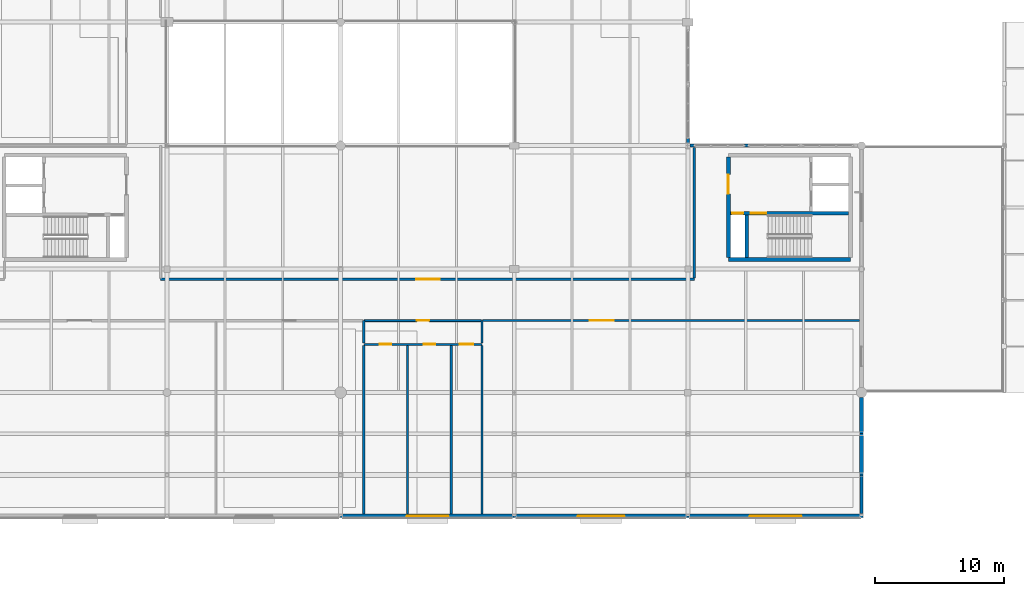
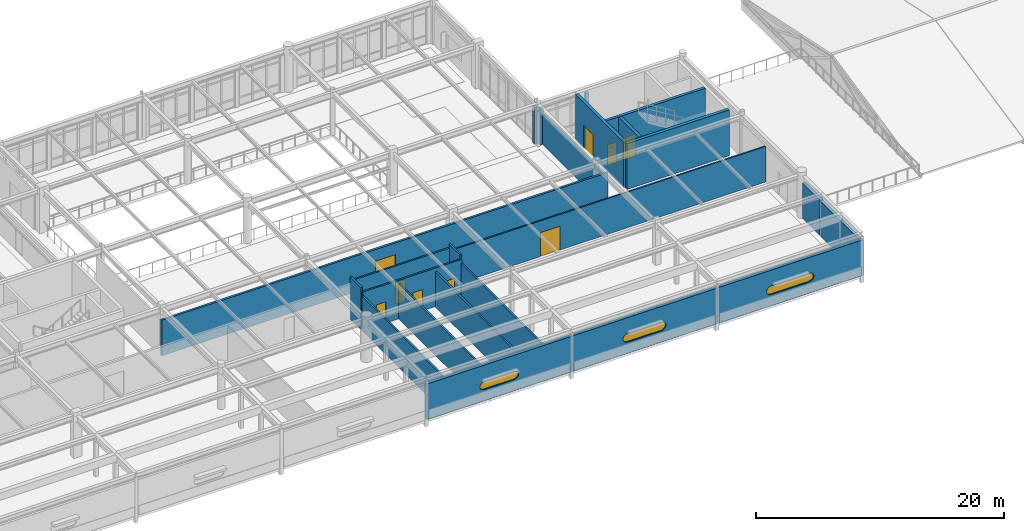
# One storey, part 49 of 61: 24 walls, 9 doors, 3 windows, 12 openings.
"""IFC4 building model written with IfcOpenShell, lengths in metres."""

from ifc_helpers import new_model, si_unit, direction, frame, frame_2d, origin, place, context, subcontext, project, spatial, polyline, rectangle, outline, extrude, material, layer, layer_set, type_object, element, fill, save


model = new_model("IFC4")

# Units and contexts
model_context = context("Model", 3, precision=1e-05, world=origin(), true_north=direction((0.0, 1.0)))
body_context = subcontext(model_context, "Body", "Model", "MODEL_VIEW")
ifc_project = project(units=[si_unit("LENGTHUNIT", "METRE"), si_unit("AREAUNIT", "SQUARE_METRE"), si_unit("VOLUMEUNIT", "CUBIC_METRE"), si_unit("PLANEANGLEUNIT", "RADIAN"), si_unit("MASSUNIT", "GRAM", prefix="KILO")], contexts=[model_context])

# Site, building, storey
site_placement = place(None, origin())
site = spatial("IfcSite", under=ifc_project, at=site_placement, CompositionType="ELEMENT")
building_placement = place(site_placement, origin())
building = spatial("IfcBuilding", under=site, at=building_placement, Name="Fikremerkos Civic Library", CompositionType="ELEMENT")
storey_placement = place(building_placement, frame((0.0, 0.0, 14.39990234375)))
storey = spatial("IfcBuildingStorey", under=building, at=storey_placement, Name="L03", CompositionType="ELEMENT", Elevation=14.39990234375)

# Wall
ifc_material_1 = material(Name="Concrete C40/50", Category="concrete")
ifc_layer_1 = layer(ifc_material_1, 0.300048828125, Name="Concrete C40/50")
ifc_layer_set_1 = layer_set([ifc_layer_1], Name="Concrete C40/50")
wall_type_1 = type_object("IfcWallType", Name="Core shear wall CSW-01 300", PredefinedType="SHEAR", material=ifc_layer_set_1)
wall_1_placement = place(storey_placement, frame((112.85009765625, 22.35009765625, 0.0), z_axis=(0.0, 0.0, 1.0), x_axis=(-1.0, 0.0, 0.0)))
element("IfcWall", 1, at=wall_1_placement, inside=storey, type_object=wall_type_1, Name="Core K2 south shear wall L03", PredefinedType="SHEAR", context=body_context, shape_type="SweptSolid", body=[
    extrude(rectangle(XDim=9.5, YDim=0.300048828125, at=frame_2d((4.75, 0.0))), origin(), (0.0, 0.0, 1.0), 4.5),
])

# Wall, opening, door
wall_2_placement = place(storey_placement, frame((103.35009765625, 22.501953125, 0.0), z_axis=(0.0, 0.0, 1.0), x_axis=(0.0, 1.0, 0.0)))
wall_2 = element("IfcWall", 2, at=wall_2_placement, inside=storey, type_object=wall_type_1, Name="Core K2 west shear wall L03", PredefinedType="SHEAR", context=body_context, shape_type="SweptSolid", body=[
    extrude(rectangle(XDim=7.796142578125, YDim=0.300048828125, at=frame_2d((3.89794921875, 0.0))), origin(), (0.0, 0.0, 1.0), 4.5),
])
opening_1_placement = place(wall_2_placement, frame((4.947998046875, 0.0, 0.0)))
opening_1 = element("IfcOpeningElement", 3, at=opening_1_placement, cuts=wall_2, Name="Opening D068", PredefinedType="OPENING", context=body_context, shape_type="SweptSolid", body=[
    extrude(rectangle(XDim=1.5, YDim=2.25, at=frame_2d((0.75, 1.125))), frame((0.0, 0.159912109375, 0.0), z_axis=(0.0, -1.0, 0.0), x_axis=(1.0, 0.0, 0.0)), (0.0, 0.0, 1.0), 0.320068359375),
])
ifc_material_2 = material(Name="Hardwood timber and acoustic glass", Category="wood")
door_type_1 = type_object("IfcDoorType", Name="Pedestrian door DT-05 1500x2250", OperationType="NOTDEFINED", PredefinedType="DOOR", material=ifc_material_2)
door_1_placement = place(opening_1_placement, origin())
door_1 = element("IfcDoor", 4, at=door_1_placement, inside=storey, type_object=door_type_1, Name="Core K2 lobby fire door D068 L03", OperationType="SINGLE_SWING_RIGHT", OverallHeight=2.25, OverallWidth=1.5, PredefinedType="DOOR", context=body_context, shape_type="SweptSolid", body=[
    extrude(rectangle(XDim=1.5, YDim=2.25, at=frame_2d((0.75, 1.125))), frame((0.0, 0.032470703125, 0.0), z_axis=(0.0, -1.0, 0.0), x_axis=(1.0, 0.0, 0.0)), (0.0, 0.0, 1.0), 0.06494140625),
])
fill(opening_1, door_1)

# Wall, openings, doors
ifc_layer_2 = layer(ifc_material_1, 0.260009765625, Name="Concrete C40/50")
ifc_layer_set_2 = layer_set([ifc_layer_2], Name="Concrete C40/50")
wall_type_2 = type_object("IfcWallType", Name="Core shear wall CSW-02 260", PredefinedType="SHEAR", material=ifc_layer_set_2)
wall_3_placement = place(storey_placement, frame((103.501953125, 25.929931640625, 0.0), z_axis=(0.0, 0.0, 1.0), x_axis=(1.0, 0.0, 0.0)))
wall_3 = element("IfcWall", 5, at=wall_3_placement, inside=storey, type_object=wall_type_2, Name="Core K2 stair compartment wall L03", PredefinedType="SHEAR", context=body_context, shape_type="SweptSolid", body=[
    extrude(rectangle(XDim=9.196044921875, YDim=0.260009765625, at=frame_2d((4.59814453125, 0.0))), origin(), (0.0, 0.0, 1.0), 4.5),
])
opening_2_placement = place(wall_3_placement, frame((1.597900390625, 0.0, 0.0)))
opening_2 = element("IfcOpeningElement", 6, at=opening_2_placement, cuts=wall_3, Name="Opening D069", PredefinedType="OPENING", context=body_context, shape_type="SweptSolid", body=[
    extrude(rectangle(XDim=1.199951171875, YDim=2.199951171875, at=frame_2d((0.60009765625, 1.10009765625))), frame((0.0, 0.139892578125, 0.0), z_axis=(0.0, -1.0, 0.0), x_axis=(1.0, 0.0, 0.0)), (0.0, 0.0, 1.0), 0.280029296875),
])
opening_3_placement = place(wall_3_placement, frame((0.14306640625, 0.0, 0.0)))
opening_3 = element("IfcOpeningElement", 7, at=opening_3_placement, cuts=wall_3, Name="Opening D070", PredefinedType="OPENING", context=body_context, shape_type="SweptSolid", body=[
    extrude(rectangle(XDim=0.85009765625, YDim=2.050048828125, at=frame_2d((0.425048828125, 1.02490234375))), frame((0.0, 0.139892578125, 0.0), z_axis=(0.0, -1.0, 0.0), x_axis=(1.0, 0.0, 0.0)), (0.0, 0.0, 1.0), 0.280029296875),
])
door_type_2 = type_object("IfcDoorType", Name="Pedestrian door DT-06 1200x2200", OperationType="NOTDEFINED", PredefinedType="DOOR", material=ifc_material_2)
door_2_placement = place(opening_2_placement, origin())
door_2 = element("IfcDoor", 8, at=door_2_placement, inside=storey, type_object=door_type_2, Name="Core K2 stair fire door D069 L03", OperationType="SINGLE_SWING_LEFT", OverallHeight=2.199951171875, OverallWidth=1.199951171875, PredefinedType="DOOR", context=body_context, shape_type="SweptSolid", body=[
    extrude(rectangle(XDim=1.199951171875, YDim=2.199951171875, at=frame_2d((0.60009765625, 1.10009765625))), frame((0.0, 0.032470703125, 0.0), z_axis=(0.0, -1.0, 0.0), x_axis=(1.0, 0.0, 0.0)), (0.0, 0.0, 1.0), 0.06494140625),
])
fill(opening_2, door_2)
door_type_3 = type_object("IfcDoorType", Name="Pedestrian door DT-08 850x2050", OperationType="NOTDEFINED", PredefinedType="DOOR", material=ifc_material_2)
door_3_placement = place(opening_3_placement, origin())
door_3 = element("IfcDoor", 9, at=door_3_placement, inside=storey, type_object=door_type_3, Name="Core K2 riser access fire door D070 L03", OperationType="SINGLE_SWING_LEFT", OverallHeight=2.050048828125, OverallWidth=0.85009765625, PredefinedType="DOOR", context=body_context, shape_type="SweptSolid", body=[
    extrude(rectangle(XDim=0.85009765625, YDim=2.050048828125, at=frame_2d((0.425048828125, 1.02490234375))), frame((0.0, 0.032470703125, 0.0), z_axis=(0.0, -1.0, 0.0), x_axis=(1.0, 0.0, 0.0)), (0.0, 0.0, 1.0), 0.06494140625),
])
fill(opening_3, door_3)

# Walls
wall_4_placement = place(storey_placement, frame((104.77001953125, 22.501953125, 0.0), z_axis=(0.0, 0.0, 1.0), x_axis=(0.0, 1.0, 0.0)))
element("IfcWall", 10, at=wall_4_placement, inside=storey, type_object=wall_type_2, Name="Core K2 stair-riser shear wall L03", PredefinedType="SHEAR", context=body_context, shape_type="SweptSolid", body=[
    extrude(rectangle(XDim=3.296142578125, YDim=0.260009765625, at=frame_2d((1.64794921875, 0.0))), origin(), (0.0, 0.0, 1.0), 4.5),
])
ifc_material_3 = material(Name="Precast concrete C40/50", Category="concrete")
ifc_layer_3 = layer(ifc_material_3, 0.300048828125, Name="Precast concrete C40/50")
ifc_layer_set_3 = layer_set([ifc_layer_3], Name="Precast concrete C40/50")
wall_type_3 = type_object("IfcWallType", Name="Exterior solid wall ESW-03 300", PredefinedType="SOLIDWALL", material=ifc_layer_set_3)
wall_5_placement = place(storey_placement, frame((113.699951171875, 11.60205078125, 0.0), z_axis=(0.0, 0.0, 1.0), x_axis=(0.0, -1.0, 0.0)))
element("IfcWall", 11, at=wall_5_placement, inside=storey, type_object=wall_type_3, Name="Exterior solid wall ESW-03 L03 #592", PredefinedType="SOLIDWALL", context=body_context, shape_type="SweptSolid", body=[
    extrude(rectangle(XDim=2.800048828125, YDim=0.300048828125, at=frame_2d((1.39990234375, 0.0))), origin(), (0.0, 0.0, 1.0), 3.5),
])
ifc_layer_4 = layer(ifc_material_3, 0.280029296875, Name="Precast concrete C40/50")
ifc_layer_set_4 = layer_set([ifc_layer_4], Name="Precast concrete C40/50")
wall_type_4 = type_object("IfcWallType", Name="Exterior solid wall ESW-04 280", PredefinedType="SOLIDWALL", material=ifc_layer_set_4)
wall_6_placement = place(storey_placement, frame((113.699951171875, 8.798095703125, 0.0), z_axis=(0.0, 0.0, 1.0), x_axis=(0.0, -1.0, 0.0)))
element("IfcWall", 12, at=wall_6_placement, inside=storey, type_object=wall_type_4, Name="Exterior solid wall ESW-04 L03 #593", PredefinedType="SOLIDWALL", context=body_context, shape_type="SweptSolid", body=[
    extrude(rectangle(XDim=3.196044921875, YDim=0.280029296875, at=frame_2d((1.59814453125, 0.0))), origin(), (0.0, 0.0, 1.0), 3.43017578125),
])

# Wall, opening, window
wall_7_placement = place(storey_placement, frame((113.81005859375, 2.39990234375, 0.0), z_axis=(0.0, 0.0, 1.0), x_axis=(-1.0, 0.0, 0.0)))
wall_7 = element("IfcWall", 13, at=wall_7_placement, inside=storey, type_object=wall_type_4, Name="Cantilever concrete band wall ESW-04 L03 #595", PredefinedType="SOLIDWALL", context=body_context, shape_type="SweptSolid", body=[
    extrude(rectangle(XDim=13.608154296875, YDim=0.280029296875, at=frame_2d((6.80419921875, 0.0))), origin(), (0.0, 0.0, 1.0), 3.5),
])
opening_4_placement = place(wall_7_placement, frame((4.60400390625, 0.0, 1.10009765625)))
opening_4 = element("IfcOpeningElement", 14, at=opening_4_placement, cuts=wall_7, Name="Opening SW-03", PredefinedType="OPENING", context=body_context, shape_type="SweptSolid", body=[
    extrude(outline(polyline([(0.425048828125, 0.85009765625), (0.27978515625, 0.824462890625), (0.15185546875, 0.750732421875), (0.056884765625, 0.6376953125), (0.00634765625, 0.498779296875), (0.00634765625, 0.351318359375), (0.056884765625, 0.212646484375), (0.15185546875, 0.099365234375), (0.27978515625, 0.025634765625), (0.425048828125, 0.0), (3.974853515625, 0.0), (4.1201171875, 0.025634765625), (4.248046875, 0.099365234375), (4.343017578125, 0.21240234375), (4.3935546875, 0.351318359375), (4.3935546875, 0.498779296875), (4.343017578125, 0.637451171875), (4.248046875, 0.750732421875), (4.1201171875, 0.824462890625), (3.974853515625, 0.85009765625), (0.425048828125, 0.85009765625)])), frame((0.0, 0.14990234375, 0.0), z_axis=(0.0, -1.0, 0.0), x_axis=(1.0, 0.0, 0.0)), (0.0, 0.0, 1.0), 0.300048828125),
])
ifc_material_4 = material(Name="Solar control double glazing", Category="glass")
window_type_1 = type_object("IfcWindowType", Name="Facade slot window SW-03 4400x850", PartitioningType="SINGLE_PANEL", PredefinedType="WINDOW", material=ifc_material_4)
window_1_placement = place(opening_4_placement, origin())
window_1 = element("IfcWindow", 15, at=window_1_placement, inside=storey, type_object=window_type_1, Name="Rounded-end facade slot window SW-03 L03 #15", OverallHeight=0.85009765625, OverallWidth=4.39990234375, PartitioningType="SINGLE_PANEL", PredefinedType="WINDOW", context=body_context, shape_type="SweptSolid", body=[
    extrude(outline(polyline([(0.425048828125, 0.85009765625), (0.27978515625, 0.824462890625), (0.15185546875, 0.750732421875), (0.056884765625, 0.6376953125), (0.00634765625, 0.498779296875), (0.00634765625, 0.351318359375), (0.056884765625, 0.212646484375), (0.15185546875, 0.099365234375), (0.27978515625, 0.025634765625), (0.425048828125, 0.0), (3.974853515625, 0.0), (4.1201171875, 0.025634765625), (4.248046875, 0.099365234375), (4.343017578125, 0.21240234375), (4.3935546875, 0.351318359375), (4.3935546875, 0.498779296875), (4.343017578125, 0.637451171875), (4.248046875, 0.750732421875), (4.1201171875, 0.824462890625), (3.974853515625, 0.85009765625), (0.425048828125, 0.85009765625)])), frame((0.0, 0.032470703125, 0.0), z_axis=(0.0, -1.0, 0.0), x_axis=(1.0, 0.0, 0.0)), (0.0, 0.0, 1.0), 0.06494140625),
])
fill(opening_4, window_1)

wall_8_placement = place(storey_placement, frame((100.197998046875, 2.39990234375, 0.0), z_axis=(0.0, 0.0, 1.0), x_axis=(-1.0, 0.0, 0.0)))
wall_8 = element("IfcWall", 16, at=wall_8_placement, inside=storey, type_object=wall_type_4, Name="Cantilever concrete band wall ESW-04 L03 #596", PredefinedType="SOLIDWALL", context=body_context, shape_type="SweptSolid", body=[
    extrude(rectangle(XDim=13.49609375, YDim=0.280029296875, at=frame_2d((6.748046875, 0.0))), origin(), (0.0, 0.0, 1.0), 3.5),
])
opening_5_placement = place(wall_8_placement, frame((4.748046875, 0.0, 1.10009765625)))
opening_5 = element("IfcOpeningElement", 17, at=opening_5_placement, cuts=wall_8, Name="Opening SW-04", PredefinedType="OPENING", context=body_context, shape_type="SweptSolid", body=[
    extrude(outline(polyline([(0.425048828125, 0.85009765625), (0.27978515625, 0.824462890625), (0.15185546875, 0.750732421875), (0.056884765625, 0.6376953125), (0.00634765625, 0.498779296875), (0.00634765625, 0.351318359375), (0.056884765625, 0.212646484375), (0.15185546875, 0.099365234375), (0.27978515625, 0.025634765625), (0.425048828125, 0.0), (3.574951171875, 0.0), (3.72021484375, 0.025634765625), (3.84814453125, 0.099365234375), (3.943115234375, 0.21240234375), (3.99365234375, 0.351318359375), (3.99365234375, 0.498779296875), (3.943115234375, 0.637451171875), (3.84814453125, 0.750732421875), (3.72021484375, 0.824462890625), (3.574951171875, 0.85009765625), (0.425048828125, 0.85009765625)])), frame((0.0, 0.14990234375, 0.0), z_axis=(0.0, -1.0, 0.0), x_axis=(1.0, 0.0, 0.0)), (0.0, 0.0, 1.0), 0.300048828125),
])
window_type_2 = type_object("IfcWindowType", Name="Facade slot window SW-04 4000x850", PartitioningType="SINGLE_PANEL", PredefinedType="WINDOW", material=ifc_material_4)
window_2_placement = place(opening_5_placement, origin())
window_2 = element("IfcWindow", 18, at=window_2_placement, inside=storey, type_object=window_type_2, Name="Rounded-end facade slot window SW-04 L03 #16", OverallHeight=0.85009765625, OverallWidth=4.0, PartitioningType="SINGLE_PANEL", PredefinedType="WINDOW", context=body_context, shape_type="SweptSolid", body=[
    extrude(outline(polyline([(0.425048828125, 0.85009765625), (0.27978515625, 0.824462890625), (0.15185546875, 0.750732421875), (0.056884765625, 0.6376953125), (0.00634765625, 0.498779296875), (0.00634765625, 0.351318359375), (0.056884765625, 0.212646484375), (0.15185546875, 0.099365234375), (0.27978515625, 0.025634765625), (0.425048828125, 0.0), (3.574951171875, 0.0), (3.72021484375, 0.025634765625), (3.84814453125, 0.099365234375), (3.943115234375, 0.21240234375), (3.99365234375, 0.351318359375), (3.99365234375, 0.498779296875), (3.943115234375, 0.637451171875), (3.84814453125, 0.750732421875), (3.72021484375, 0.824462890625), (3.574951171875, 0.85009765625), (0.425048828125, 0.85009765625)])), frame((0.0, 0.032470703125, 0.0), z_axis=(0.0, -1.0, 0.0), x_axis=(1.0, 0.0, 0.0)), (0.0, 0.0, 1.0), 0.06494140625),
])
fill(opening_5, window_2)

wall_9_placement = place(storey_placement, frame((86.697998046875, 2.39990234375, 0.0), z_axis=(0.0, 0.0, 1.0), x_axis=(-1.0, 0.0, 0.0)))
wall_9 = element("IfcWall", 19, at=wall_9_placement, inside=storey, type_object=wall_type_4, Name="Cantilever concrete band wall ESW-04 L03 #597", PredefinedType="SOLIDWALL", context=body_context, shape_type="SweptSolid", body=[
    extrude(rectangle(XDim=13.49609375, YDim=0.280029296875, at=frame_2d((6.748046875, 0.0))), origin(), (0.0, 0.0, 1.0), 3.5),
])
opening_6_placement = place(wall_9_placement, frame((4.947998046875, 0.0, 1.10009765625)))
opening_6 = element("IfcOpeningElement", 20, at=opening_6_placement, cuts=wall_9, Name="Opening SW-05", PredefinedType="OPENING", context=body_context, shape_type="SweptSolid", body=[
    extrude(outline(polyline([(0.39990234375, 0.800048828125), (0.26318359375, 0.77587890625), (0.142822265625, 0.70654296875), (0.0537109375, 0.60009765625), (0.006103515625, 0.469482421875), (0.006103515625, 0.33056640625), (0.0537109375, 0.199951171875), (0.142822265625, 0.093505859375), (0.26318359375, 0.024169921875), (0.39990234375, 0.0), (3.2001953125, 0.0), (3.3369140625, 0.024169921875), (3.457275390625, 0.093505859375), (3.54638671875, 0.199951171875), (3.593994140625, 0.33056640625), (3.593994140625, 0.469482421875), (3.54638671875, 0.60009765625), (3.457275390625, 0.70654296875), (3.3369140625, 0.77587890625), (3.2001953125, 0.800048828125), (0.39990234375, 0.800048828125)])), frame((0.0, 0.14990234375, 0.0), z_axis=(0.0, -1.0, 0.0), x_axis=(1.0, 0.0, 0.0)), (0.0, 0.0, 1.0), 0.300048828125),
])
window_type_3 = type_object("IfcWindowType", Name="Facade slot window SW-05 3600x800", PartitioningType="SINGLE_PANEL", PredefinedType="WINDOW", material=ifc_material_4)
window_3_placement = place(opening_6_placement, origin())
window_3 = element("IfcWindow", 21, at=window_3_placement, inside=storey, type_object=window_type_3, Name="Rounded-end facade slot window SW-05 L03 #17", OverallHeight=0.800048828125, OverallWidth=3.60009765625, PartitioningType="SINGLE_PANEL", PredefinedType="WINDOW", context=body_context, shape_type="SweptSolid", body=[
    extrude(outline(polyline([(0.39990234375, 0.800048828125), (0.26318359375, 0.77587890625), (0.142822265625, 0.70654296875), (0.0537109375, 0.60009765625), (0.006103515625, 0.469482421875), (0.006103515625, 0.33056640625), (0.0537109375, 0.199951171875), (0.142822265625, 0.093505859375), (0.26318359375, 0.024169921875), (0.39990234375, 0.0), (3.2001953125, 0.0), (3.3369140625, 0.024169921875), (3.457275390625, 0.093505859375), (3.54638671875, 0.199951171875), (3.593994140625, 0.33056640625), (3.593994140625, 0.469482421875), (3.54638671875, 0.60009765625), (3.457275390625, 0.70654296875), (3.3369140625, 0.77587890625), (3.2001953125, 0.800048828125), (0.39990234375, 0.800048828125)])), frame((0.0, 0.032470703125, 0.0), z_axis=(0.0, -1.0, 0.0), x_axis=(1.0, 0.0, 0.0)), (0.0, 0.0, 1.0), 0.06494140625),
])
fill(opening_6, window_3)

# Walls
ifc_layer_5 = layer(ifc_material_3, 0.25, Name="Precast concrete C40/50")
ifc_layer_set_5 = layer_set([ifc_layer_5], Name="Precast concrete C40/50")
wall_type_5 = type_object("IfcWallType", Name="Exterior solid wall ESW-05 250", PredefinedType="SOLIDWALL", material=ifc_layer_set_5)
wall_10_placement = place(storey_placement, frame((100.199951171875, 31.77294921875, 0.0), z_axis=(0.0, 0.0, 1.0), x_axis=(0.0, -1.0, 0.0)))
element("IfcWall", 22, at=wall_10_placement, inside=storey, type_object=wall_type_5, Name="Exterior facade pier ESW-05 #584", PredefinedType="SOLIDWALL", context=body_context, shape_type="SweptSolid", body=[
    extrude(rectangle(XDim=0.349853515625, YDim=0.25, at=frame_2d((0.1748046875, 0.0))), origin(), (0.0, 0.0, 1.0), 3.60009765625),
])
wall_11_placement = place(storey_placement, frame((100.347900390625, 31.199951171875, 0.0), z_axis=(0.0, 0.0, 1.0), x_axis=(1.0, 0.0, 0.0)))
element("IfcWall", 23, at=wall_11_placement, inside=storey, type_object=wall_type_5, Name="Exterior facade pier ESW-05 #586", PredefinedType="SOLIDWALL", context=body_context, shape_type="SweptSolid", body=[
    extrude(rectangle(XDim=0.35009765625, YDim=0.25, at=frame_2d((0.175048828125, 0.0))), origin(), (0.0, 0.0, 1.0), 3.60009765625),
])
wall_12_placement = place(storey_placement, frame((104.615966796875, 31.199951171875, 0.0), z_axis=(0.0, 0.0, 1.0), x_axis=(1.0, 0.0, 0.0)))
element("IfcWall", 24, at=wall_12_placement, inside=storey, type_object=wall_type_5, Name="Exterior facade mullion pier ESW-05 #588", PredefinedType="SOLIDWALL", context=body_context, shape_type="SweptSolid", body=[
    extrude(rectangle(XDim=0.300048828125, YDim=0.25, at=frame_2d((0.14990234375, 0.0))), origin(), (0.0, 0.0, 1.0), 3.60009765625),
])
wall_13_placement = place(storey_placement, frame((113.699951171875, 5.597900390625, 0.0), z_axis=(0.0, 0.0, 1.0), x_axis=(0.0, -1.0, 0.0)))
element("IfcWall", 25, at=wall_13_placement, inside=storey, type_object=wall_type_5, Name="Exterior solid wall ESW-05 L03 #594", PredefinedType="SOLIDWALL", context=body_context, shape_type="SweptSolid", body=[
    extrude(rectangle(XDim=3.017822265625, YDim=0.25, at=frame_2d((1.5087890625, 0.0))), origin(), (0.0, 0.0, 1.0), 3.43017578125),
])

# Wall, opening, door
ifc_material_5 = material(Name="Acoustic concrete blockwork", Category="masonry")
ifc_layer_6 = layer(ifc_material_5, 0.18994140625, Name="Acoustic concrete blockwork")
ifc_layer_set_6 = layer_set([ifc_layer_6], Name="Acoustic concrete blockwork")
wall_type_6 = type_object("IfcWallType", Name="Interior partition wall IPW-01 190", PredefinedType="PARTITIONING", material=ifc_layer_set_6)
wall_14_placement = place(storey_placement, frame((59.199951171875, 20.800048828125, 0.0), z_axis=(0.0, 0.0, 1.0), x_axis=(1.0, 0.0, 0.0)))
wall_14 = element("IfcWall", 26, at=wall_14_placement, inside=storey, type_object=wall_type_6, Name="Interior wall IPW-01 L03 #216", PredefinedType="PARTITIONING", context=body_context, shape_type="SweptSolid", body=[
    extrude(rectangle(XDim=41.5, YDim=0.18994140625, at=frame_2d((20.75, 0.0))), origin(), (0.0, 0.0, 1.0), 3.5),
])
opening_7_placement = place(wall_14_placement, frame((19.875, 0.0, 0.0)))
opening_7 = element("IfcOpeningElement", 27, at=opening_7_placement, cuts=wall_14, Name="Opening D237", PredefinedType="OPENING", context=body_context, shape_type="SweptSolid", body=[
    extrude(rectangle(XDim=1.85009765625, YDim=2.35009765625, at=frame_2d((0.925048828125, 1.175048828125))), frame((0.0, 0.10498046875, 0.0), z_axis=(0.0, -1.0, 0.0), x_axis=(1.0, 0.0, 0.0)), (0.0, 0.0, 1.0), 0.2099609375),
])
door_type_4 = type_object("IfcDoorType", Name="Pedestrian door DT-09 1850x2350", OperationType="NOTDEFINED", PredefinedType="DOOR", material=ifc_material_2)
door_4_placement = place(opening_7_placement, origin())
door_4 = element("IfcDoor", 28, at=door_4_placement, inside=storey, type_object=door_type_4, Name="Interior door D237 L03", OperationType="SINGLE_SWING_LEFT", OverallHeight=2.35009765625, OverallWidth=1.85009765625, PredefinedType="DOOR", context=body_context, shape_type="SweptSolid", body=[
    extrude(rectangle(XDim=1.85009765625, YDim=2.35009765625, at=frame_2d((0.925048828125, 1.175048828125))), frame((0.0, 0.032470703125, 0.0), z_axis=(0.0, -1.0, 0.0), x_axis=(1.0, 0.0, 0.0)), (0.0, 0.0, 1.0), 0.06494140625),
])
fill(opening_7, door_4)

# Wall
wall_15_placement = place(storey_placement, frame((100.699951171875, 20.905029296875, 0.0), z_axis=(0.0, 0.0, 1.0), x_axis=(0.0, 1.0, 0.0)))
element("IfcWall", 29, at=wall_15_placement, inside=storey, type_object=wall_type_6, Name="Interior wall IPW-01 L03 #228", PredefinedType="PARTITIONING", context=body_context, shape_type="SweptSolid", body=[
    extrude(rectangle(XDim=10.166015625, YDim=0.18994140625, at=frame_2d((5.0830078125, 0.0))), origin(), (0.0, 0.0, 1.0), 2.965087890625),
])

# Wall, opening, door
ifc_material_6 = material(Name="Acoustic gypsum stud partition")
ifc_layer_7 = layer(ifc_material_6, 0.14990234375, Name="Acoustic gypsum stud partition")
ifc_layer_set_7 = layer_set([ifc_layer_7], Name="Acoustic gypsum stud partition")
wall_type_7 = type_object("IfcWallType", Name="Interior partition wall IPW-02 150", PredefinedType="PARTITIONING", material=ifc_layer_set_7)
wall_16_placement = place(storey_placement, frame((75.050048828125, 17.60009765625, 0.0), z_axis=(0.0, 0.0, 1.0), x_axis=(1.0, 0.0, 0.0)))
wall_16 = element("IfcWall", 30, at=wall_16_placement, inside=storey, type_object=wall_type_7, Name="Interior wall IPW-02 L03 #217", PredefinedType="PARTITIONING", context=body_context, shape_type="SweptSolid", body=[
    extrude(rectangle(XDim=9.099853515625, YDim=0.14990234375, at=frame_2d((4.5498046875, 0.0))), origin(), (0.0, 0.0, 1.0), 3.7900390625),
])
opening_8_placement = place(wall_16_placement, frame((4.074951171875, 0.0, 0.0)))
opening_8 = element("IfcOpeningElement", 31, at=opening_8_placement, cuts=wall_16, Name="Opening D228", PredefinedType="OPENING", context=body_context, shape_type="SweptSolid", body=[
    extrude(rectangle(XDim=0.949951171875, YDim=2.14990234375, at=frame_2d((0.47509765625, 1.074951171875))), frame((0.0, 0.0849609375, 0.0), z_axis=(0.0, -1.0, 0.0), x_axis=(1.0, 0.0, 0.0)), (0.0, 0.0, 1.0), 0.169921875),
])
door_type_5 = type_object("IfcDoorType", Name="Pedestrian door DT-02 950x2150", OperationType="NOTDEFINED", PredefinedType="DOOR", material=ifc_material_2)
door_5_placement = place(opening_8_placement, origin())
door_5 = element("IfcDoor", 32, at=door_5_placement, inside=storey, type_object=door_type_5, Name="Interior door D228 L03", OperationType="SINGLE_SWING_LEFT", OverallHeight=2.14990234375, OverallWidth=0.949951171875, PredefinedType="DOOR", context=body_context, shape_type="SweptSolid", body=[
    extrude(rectangle(XDim=0.949951171875, YDim=2.14990234375, at=frame_2d((0.47509765625, 1.074951171875))), frame((0.0, 0.032470703125, 0.0), z_axis=(0.0, -1.0, 0.0), x_axis=(1.0, 0.0, 0.0)), (0.0, 0.0, 1.0), 0.06494140625),
])
fill(opening_8, door_5)

ifc_material_7 = material(Name="Gypsum metal stud partition")
ifc_layer_8 = layer(ifc_material_7, 0.1298828125, Name="Gypsum metal stud partition")
ifc_layer_set_8 = layer_set([ifc_layer_8], Name="Gypsum metal stud partition")
wall_type_8 = type_object("IfcWallType", Name="Interior partition wall IPW-03 130", PredefinedType="PARTITIONING", material=ifc_layer_set_8)
wall_17_placement = place(storey_placement, frame((84.25, 17.60009765625, 0.0), z_axis=(0.0, 0.0, 1.0), x_axis=(1.0, 0.0, 0.0)))
wall_17 = element("IfcWall", 33, at=wall_17_placement, inside=storey, type_object=wall_type_8, Name="Interior wall IPW-03 L03 #218", PredefinedType="PARTITIONING", context=body_context, shape_type="SweptSolid", body=[
    extrude(rectangle(XDim=29.297119140625, YDim=0.1298828125, at=frame_2d((14.6484375, 0.0))), origin(), (0.0, 0.0, 1.0), 3.5),
])
opening_9_placement = place(wall_17_placement, frame((8.324951171875, 0.0, 0.0)))
opening_9 = element("IfcOpeningElement", 34, at=opening_9_placement, cuts=wall_17, Name="Opening D236", PredefinedType="OPENING", context=body_context, shape_type="SweptSolid", body=[
    extrude(rectangle(XDim=1.85009765625, YDim=2.35009765625, at=frame_2d((0.925048828125, 1.175048828125))), frame((0.0, 0.074951171875, 0.0), z_axis=(0.0, -1.0, 0.0), x_axis=(1.0, 0.0, 0.0)), (0.0, 0.0, 1.0), 0.14990234375),
])
door_6_placement = place(opening_9_placement, origin())
door_6 = element("IfcDoor", 35, at=door_6_placement, inside=storey, type_object=door_type_4, Name="Interior door D236 L03", OperationType="SINGLE_SWING_RIGHT", OverallHeight=2.35009765625, OverallWidth=1.85009765625, PredefinedType="DOOR", context=body_context, shape_type="SweptSolid", body=[
    extrude(rectangle(XDim=1.85009765625, YDim=2.35009765625, at=frame_2d((0.925048828125, 1.175048828125))), frame((0.0, 0.032470703125, 0.0), z_axis=(0.0, -1.0, 0.0), x_axis=(1.0, 0.0, 0.0)), (0.0, 0.0, 1.0), 0.06494140625),
])
fill(opening_9, door_6)

# Wall, openings, doors
ifc_material_8 = material(Name="Aerated concrete blockwork", Category="masonry")
ifc_layer_9 = layer(ifc_material_8, 0.159912109375, Name="Aerated concrete blockwork")
ifc_layer_set_9 = layer_set([ifc_layer_9], Name="Aerated concrete blockwork")
wall_type_9 = type_object("IfcWallType", Name="Service duct wall SDW-02 160", PredefinedType="PLUMBINGWALL", material=ifc_layer_set_9)
wall_18_placement = place(storey_placement, frame((75.0, 15.75, 0.0), z_axis=(0.0, 0.0, 1.0), x_axis=(1.0, 0.0, 0.0)))
wall_18 = element("IfcWall", 36, at=wall_18_placement, inside=storey, type_object=wall_type_9, Name="Interior wall SDW-02 L03 #205", PredefinedType="PLUMBINGWALL", context=body_context, shape_type="SweptSolid", body=[
    extrude(rectangle(XDim=9.199951171875, YDim=0.159912109375, at=frame_2d((4.60009765625, 0.0))), origin(), (0.0, 0.0, 1.0), 3.7900390625),
])
opening_10_placement = place(wall_18_placement, frame((1.25, 0.0, 0.0)))
opening_10 = element("IfcOpeningElement", 37, at=opening_10_placement, cuts=wall_18, Name="Opening D229", PredefinedType="OPENING", context=body_context, shape_type="SweptSolid", body=[
    extrude(rectangle(XDim=0.89990234375, YDim=2.10009765625, at=frame_2d((0.449951171875, 1.050048828125))), frame((0.0, 0.08984375, 0.0), z_axis=(0.0, -1.0, 0.0), x_axis=(1.0, 0.0, 0.0)), (0.0, 0.0, 1.0), 0.179931640625),
])
opening_11_placement = place(wall_18_placement, frame((4.64990234375, 0.0, 0.0)))
opening_11 = element("IfcOpeningElement", 38, at=opening_11_placement, cuts=wall_18, Name="Opening D230", PredefinedType="OPENING", context=body_context, shape_type="SweptSolid", body=[
    extrude(rectangle(XDim=0.89990234375, YDim=2.10009765625, at=frame_2d((0.449951171875, 1.050048828125))), frame((0.0, 0.08984375, 0.0), z_axis=(0.0, -1.0, 0.0), x_axis=(1.0, 0.0, 0.0)), (0.0, 0.0, 1.0), 0.179931640625),
])
opening_12_placement = place(wall_18_placement, frame((7.47509765625, 0.0, 0.0)))
opening_12 = element("IfcOpeningElement", 39, at=opening_12_placement, cuts=wall_18, Name="Opening D231", PredefinedType="OPENING", context=body_context, shape_type="SweptSolid", body=[
    extrude(rectangle(XDim=1.050048828125, YDim=2.14990234375, at=frame_2d((0.52490234375, 1.074951171875))), frame((0.0, 0.08984375, 0.0), z_axis=(0.0, -1.0, 0.0), x_axis=(1.0, 0.0, 0.0)), (0.0, 0.0, 1.0), 0.179931640625),
])
door_type_6 = type_object("IfcDoorType", Name="Pedestrian door DT-03 900x2100", OperationType="NOTDEFINED", PredefinedType="DOOR", material=ifc_material_2)
door_7_placement = place(opening_10_placement, origin())
door_7 = element("IfcDoor", 40, at=door_7_placement, inside=storey, type_object=door_type_6, Name="Interior door D229 L03", OperationType="SINGLE_SWING_RIGHT", OverallHeight=2.10009765625, OverallWidth=0.89990234375, PredefinedType="DOOR", context=body_context, shape_type="SweptSolid", body=[
    extrude(rectangle(XDim=0.89990234375, YDim=2.10009765625, at=frame_2d((0.449951171875, 1.050048828125))), frame((0.0, 0.032470703125, 0.0), z_axis=(0.0, -1.0, 0.0), x_axis=(1.0, 0.0, 0.0)), (0.0, 0.0, 1.0), 0.06494140625),
])
fill(opening_10, door_7)
door_8_placement = place(opening_11_placement, origin())
door_8 = element("IfcDoor", 41, at=door_8_placement, inside=storey, type_object=door_type_6, Name="Interior door D230 L03", OperationType="SINGLE_SWING_LEFT", OverallHeight=2.10009765625, OverallWidth=0.89990234375, PredefinedType="DOOR", context=body_context, shape_type="SweptSolid", body=[
    extrude(rectangle(XDim=0.89990234375, YDim=2.10009765625, at=frame_2d((0.449951171875, 1.050048828125))), frame((0.0, 0.032470703125, 0.0), z_axis=(0.0, -1.0, 0.0), x_axis=(1.0, 0.0, 0.0)), (0.0, 0.0, 1.0), 0.06494140625),
])
fill(opening_11, door_8)
door_type_7 = type_object("IfcDoorType", Name="Pedestrian door DT-04 1050x2150", OperationType="NOTDEFINED", PredefinedType="DOOR", material=ifc_material_2)
door_9_placement = place(opening_12_placement, origin())
door_9 = element("IfcDoor", 42, at=door_9_placement, inside=storey, type_object=door_type_7, Name="Interior door D231 L03", OperationType="SINGLE_SWING_RIGHT", OverallHeight=2.14990234375, OverallWidth=1.050048828125, PredefinedType="DOOR", context=body_context, shape_type="SweptSolid", body=[
    extrude(rectangle(XDim=1.050048828125, YDim=2.14990234375, at=frame_2d((0.52490234375, 1.074951171875))), frame((0.0, 0.032470703125, 0.0), z_axis=(0.0, -1.0, 0.0), x_axis=(1.0, 0.0, 0.0)), (0.0, 0.0, 1.0), 0.06494140625),
])
fill(opening_12, door_9)

# Walls
wall_19_placement = place(storey_placement, frame((75.0, 2.54296875, 0.0), z_axis=(0.0, 0.0, 1.0), x_axis=(0.0, 1.0, 0.0)))
element("IfcWall", 43, at=wall_19_placement, inside=storey, type_object=wall_type_9, Name="Interior wall SDW-02 L03 #206", PredefinedType="PLUMBINGWALL", context=body_context, shape_type="SweptSolid", body=[
    extrude(rectangle(XDim=13.10205078125, YDim=0.159912109375, at=frame_2d((6.551025390625, 0.0))), origin(), (0.0, 0.0, 1.0), 3.43017578125),
])
wall_20_placement = place(storey_placement, frame((75.0, 15.85498046875, 0.0), z_axis=(0.0, 0.0, 1.0), x_axis=(0.0, 1.0, 0.0)))
element("IfcWall", 44, at=wall_20_placement, inside=storey, type_object=wall_type_9, Name="Interior wall SDW-02 L03 #207", PredefinedType="PLUMBINGWALL", context=body_context, shape_type="SweptSolid", body=[
    extrude(rectangle(XDim=1.7451171875, YDim=0.159912109375, at=frame_2d((0.87255859375, 0.0))), origin(), (0.0, 0.0, 1.0), 4.16015625),
])
for number, where, z_axis, x_axis, name in (
    (45, (78.39990234375, 2.54296875, 0.0), (0.0, 0.0, 1.0), (0.0, 1.0, 0.0), "Interior wall SDW-02 L03 #208"),
    (46, (81.800048828125, 2.54296875, 0.0), (0.0, 0.0, 1.0), (0.0, 1.0, 0.0), "Interior wall SDW-02 L03 #209"),
    (47, (84.199951171875, 2.54296875, 0.0), (0.0, 0.0, 1.0), (0.0, 1.0, 0.0), "Interior wall SDW-02 L03 #210"),
):
    element("IfcWall", number, at=place(storey_placement, frame(where, z_axis=z_axis, x_axis=x_axis)), inside=storey, type_object=wall_type_9, Name=name, PredefinedType="PLUMBINGWALL", context=body_context, shape_type="SweptSolid", body=[
        extrude(rectangle(XDim=13.10205078125, YDim=0.159912109375, at=frame_2d((6.551025390625, 0.0))), origin(), (0.0, 0.0, 1.0), 3.43017578125),
    ])
wall_21_placement = place(storey_placement, frame((84.199951171875, 15.85498046875, 0.0), z_axis=(0.0, 0.0, 1.0), x_axis=(0.0, 1.0, 0.0)))
element("IfcWall", 48, at=wall_21_placement, inside=storey, type_object=wall_type_9, Name="Interior wall SDW-02 L03 #211", PredefinedType="PLUMBINGWALL", context=body_context, shape_type="SweptSolid", body=[
    extrude(rectangle(XDim=1.7451171875, YDim=0.159912109375, at=frame_2d((0.87255859375, 0.0))), origin(), (0.0, 0.0, 1.0), 4.16015625),
])

save(model, "model.ifc")
